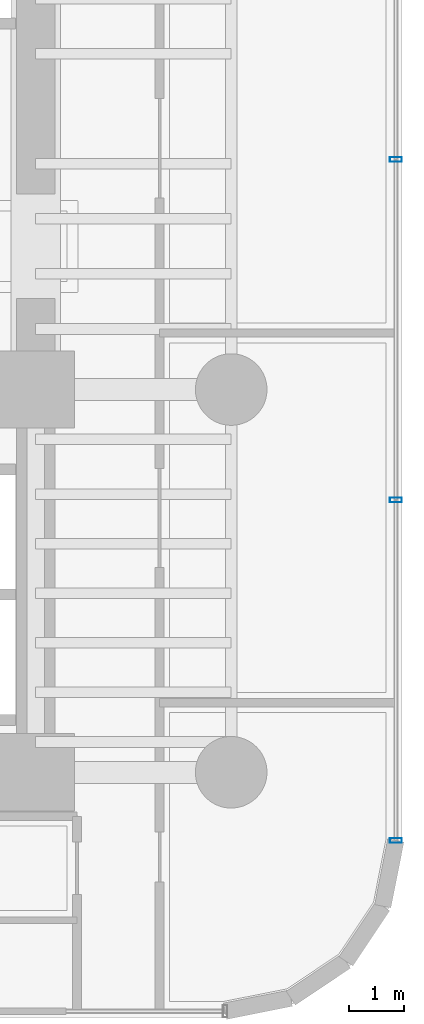
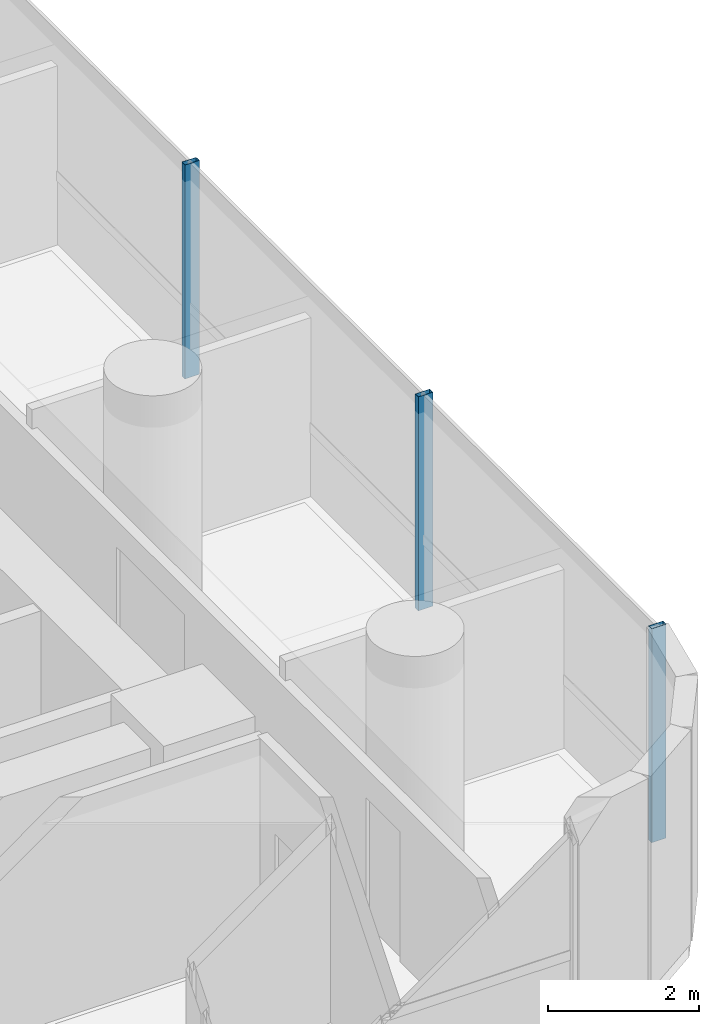
# One storey, part 24 of 40: 3 members, 1 element without a shape of its own.
"""IFC4 building model written with IfcOpenShell, lengths in metres."""

from ifc_helpers import new_model, si_unit, direction, frame, origin, origin_2d, place, context, subcontext, project, spatial, hollow_rectangle, extrude, source, transform, mapped, material, material_profile, profile_set, type_object, element, aggregate, save


model = new_model("IFC4")

# Units and contexts
model_context = context("Model", 3, precision=1e-05, world=origin(), true_north=direction((0.0, 1.0)))
body_context = subcontext(model_context, "Body", "Model", "MODEL_VIEW")
ifc_project = project(units=[si_unit("LENGTHUNIT", "METRE"), si_unit("AREAUNIT", "SQUARE_METRE"), si_unit("VOLUMEUNIT", "CUBIC_METRE"), si_unit("PLANEANGLEUNIT", "RADIAN"), si_unit("MASSUNIT", "GRAM", prefix="KILO")], contexts=[model_context])

# Site, building, storey
site_placement = place(None, origin())
site = spatial("IfcSite", under=ifc_project, at=site_placement, CompositionType="ELEMENT")
building_placement = place(site_placement, origin())
building = spatial("IfcBuilding", under=site, at=building_placement, Name="Valdorenza Pilgrim Sanctuary Tower", CompositionType="ELEMENT")
storey_placement = place(building_placement, frame((0.0, 0.0, 44.5)))
storey = spatial("IfcBuildingStorey", under=building, at=storey_placement, Name="L10", CompositionType="ELEMENT", Elevation=44.5)

# Curtain wall, members
ifc_material_1 = material(Name="Curtain-wall IGU glazing", Category="glass")
curtain_wall_type = type_object("IfcCurtainWallType", Name="CW-SYS-03", PredefinedType="NOTDEFINED", material=ifc_material_1)
curtain_wall_placement = place(storey_placement, origin())
curtain_wall = element("IfcCurtainWall", 1, at=curtain_wall_placement, inside=storey, type_object=curtain_wall_type, Name="L10 Curtain Wall CW-L10-1-21", PredefinedType="NOTDEFINED")
ifc_material_2 = material(Name="Anodised aluminium AW-6060", Category="aluminium")
ifc_material_profile = material_profile(ifc_material_2, hollow_rectangle(XDim=0.0849609375, YDim=0.219970703125, WallThickness=0.0048828125, at=origin_2d()), Name="ALU-M 220x85x5")
ifc_profile_set = profile_set([ifc_material_profile], Name="Anodised aluminium AW-6060")
member_type = type_object("IfcMemberType", Name="CW-MUL-03", PredefinedType="MULLION", material=ifc_profile_set)
shared_shape = source(origin(), body_context, "Body", "SweptSolid", [
    extrude(hollow_rectangle(XDim=0.0849609375, YDim=0.219970703125, WallThickness=0.0048828125, at=origin_2d()), origin(), (0.0, 0.0, 1.0), 3.4599609375),
])
member_1_placement = place(storey_placement, frame((31.389892578125, 1.577880859375, 0.0), z_axis=(0.0, 0.0, 1.0), x_axis=(0.0, -1.0, 0.0)))
member_1 = element("IfcMember", 2, at=member_1_placement, type_object=member_type, Name="CW-L10-1-21 Mullion 3", PredefinedType="MULLION", context=body_context, shape_type="MappedRepresentation", body=[
    mapped(shared_shape, transform((0.0, 0.0, 0.0), x_axis=(1.0, 0.0, 0.0), y_axis=(0.0, 1.0, 0.0), z_axis=(0.0, 0.0, 1.0), scale=1.0)),
])
member_2_placement = place(storey_placement, frame((31.389892578125, -4.605712890625, 0.0), z_axis=(0.0, 0.0, 1.0), x_axis=(0.0, -1.0, 0.0)))
member_2 = element("IfcMember", 3, at=member_2_placement, type_object=member_type, Name="CW-L10-1-21 Mullion 4", PredefinedType="MULLION", context=body_context, shape_type="MappedRepresentation", body=[
    mapped(shared_shape, transform((0.0, 0.0, 0.0), x_axis=(1.0, 0.0, 0.0), y_axis=(0.0, 1.0, 0.0), z_axis=(0.0, 0.0, 1.0), scale=1.0)),
])
member_3_placement = place(storey_placement, frame((31.389892578125, -10.789306640625, 0.0), z_axis=(0.0, 0.0, 1.0), x_axis=(0.0, -1.0, 0.0)))
member_3 = element("IfcMember", 4, at=member_3_placement, type_object=member_type, Name="CW-L10-1-21 Mullion 5", PredefinedType="MULLION", context=body_context, shape_type="MappedRepresentation", body=[
    mapped(shared_shape, transform((0.0, 0.0, 0.0), x_axis=(1.0, 0.0, 0.0), y_axis=(0.0, 1.0, 0.0), z_axis=(0.0, 0.0, 1.0), scale=1.0)),
])
aggregate(curtain_wall, [member_1, member_2, member_3])

save(model, "model.ifc")
